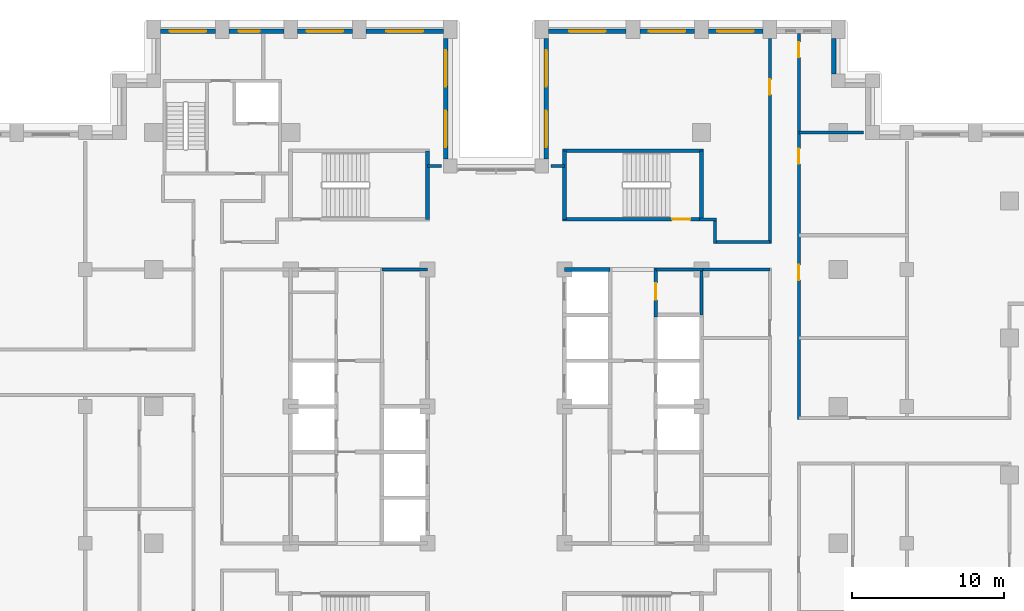
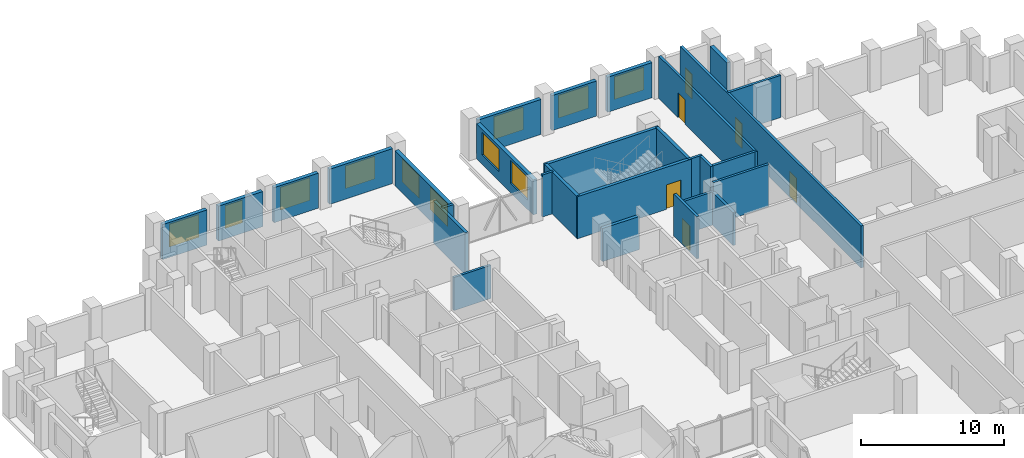
# One storey, part 11 of 16: 29 walls, 11 windows, 6 doors, 17 openings.
"""IFC4 building model written with IfcOpenShell, lengths in metres."""

from ifc_helpers import new_model, si_unit, direction, frame, frame_2d, origin, place, context, subcontext, project, spatial, rectangle, extrude, material, layer, layer_set, type_object, element, fill, save


model = new_model("IFC4")

# Units and contexts
model_context = context("Model", 3, precision=1e-05, world=origin(), true_north=direction((0.0, 1.0)))
body_context = subcontext(model_context, "Body", "Model", "MODEL_VIEW")
ifc_project = project(units=[si_unit("LENGTHUNIT", "METRE"), si_unit("AREAUNIT", "SQUARE_METRE"), si_unit("VOLUMEUNIT", "CUBIC_METRE"), si_unit("PLANEANGLEUNIT", "RADIAN"), si_unit("MASSUNIT", "GRAM", prefix="KILO")], contexts=[model_context])

# Site, building, storey
site_placement = place(None, origin())
site = spatial("IfcSite", under=ifc_project, at=site_placement, CompositionType="ELEMENT")
building_placement = place(site_placement, origin())
building = spatial("IfcBuilding", under=site, at=building_placement, Name="Corbelhall Arena Tower", CompositionType="ELEMENT")
storey_placement = place(building_placement, frame((0.0, 0.0, 116.0)))
storey = spatial("IfcBuildingStorey", under=building, at=storey_placement, Name="L21", CompositionType="ELEMENT", Elevation=116.0)

# Wall
ifc_material_1 = material(Name="Precast concrete C40/50 with granite facing", Category="masonry")
ifc_layer_1 = layer(ifc_material_1, 0.300048828125)
ifc_layer_set_1 = layer_set([ifc_layer_1], Name="EV-IW1 Infill panel 300")
wall_type_1 = type_object("IfcWallType", Name="EV-IW1 Infill panel 300", PredefinedType="SOLIDWALL", material=ifc_layer_set_1)
wall_1_placement = place(storey_placement, frame((22.199951171875, 21.85009765625, 0.0), z_axis=(0.0, 0.0, 1.0), x_axis=(0.0, 1.0, 0.0)))
element("IfcWall", 1, at=wall_1_placement, inside=storey, type_object=wall_type_1, Name="Infill panel IW1", PredefinedType="SOLIDWALL", context=body_context, shape_type="SweptSolid", body=[
    extrude(rectangle(XDim=2.349853515625, YDim=0.300048828125, at=frame_2d((1.1748046875, 0.0))), origin(), (0.0, 0.0, 1.0), 2.99951171875),
])

# Wall, opening, window
wall_2_placement = place(storey_placement, frame((17.550048828125, 24.64990234375, 0.0), z_axis=(0.0, 0.0, 1.0), x_axis=(-1.0, 0.0, 0.0)))
wall_2 = element("IfcWall", 2, at=wall_2_placement, inside=storey, type_object=wall_type_1, Name="Infill panel IW1", PredefinedType="SOLIDWALL", context=body_context, shape_type="SweptSolid", body=[
    extrude(rectangle(XDim=3.60009765625, YDim=0.300048828125, at=frame_2d((1.800048828125, 0.0))), origin(), (0.0, 0.0, 1.0), 2.99951171875),
])
opening_1_placement = place(wall_2_placement, frame((0.60009765625, 0.0, 0.800048828125)))
opening_1 = element("IfcOpeningElement", 3, at=opening_1_placement, cuts=wall_2, Name="Opening WN1", PredefinedType="OPENING", context=body_context, shape_type="SweptSolid", body=[
    extrude(rectangle(XDim=2.39990234375, YDim=1.949951171875, at=frame_2d((1.199951171875, 0.97509765625))), frame((0.0, 0.14990234375, 0.0), z_axis=(0.0, -1.0, 0.0), x_axis=(1.0, 0.0, 0.0)), (0.0, 0.0, 1.0), 0.300048828125),
])
ifc_material_2 = material(Name="Aluminium black anodised", Category="aluminium")
window_type_1 = type_object("IfcWindowType", Name="EV-WN1 Office window", PartitioningType="SINGLE_PANEL", PredefinedType="WINDOW", material=ifc_material_2)
window_1_placement = place(opening_1_placement, origin())
window_1 = element("IfcWindow", 4, at=window_1_placement, inside=storey, type_object=window_type_1, Name="Window WN1", OverallHeight=1.949951171875, OverallWidth=2.39990234375, PartitioningType="SINGLE_PANEL", PredefinedType="WINDOW", context=body_context, shape_type="SweptSolid", body=[
    extrude(rectangle(XDim=2.39990234375, YDim=1.949951171875, at=frame_2d((1.199951171875, 0.97509765625))), frame((0.0, 0.030029296875, 0.0), z_axis=(0.0, -1.0, 0.0), x_axis=(1.0, 0.0, 0.0)), (0.0, 0.0, 1.0), 0.06005859375),
])
fill(opening_1, window_1)

wall_3_placement = place(storey_placement, frame((13.050048828125, 24.64990234375, 0.0), z_axis=(0.0, 0.0, 1.0), x_axis=(-1.0, 0.0, 0.0)))
wall_3 = element("IfcWall", 5, at=wall_3_placement, inside=storey, type_object=wall_type_1, Name="Infill panel IW1", PredefinedType="SOLIDWALL", context=body_context, shape_type="SweptSolid", body=[
    extrude(rectangle(XDim=3.60009765625, YDim=0.300048828125, at=frame_2d((1.800048828125, 0.0))), origin(), (0.0, 0.0, 1.0), 2.99951171875),
])
opening_2_placement = place(wall_3_placement, frame((0.60009765625, 0.0, 0.800048828125)))
opening_2 = element("IfcOpeningElement", 6, at=opening_2_placement, cuts=wall_3, Name="Opening WN1", PredefinedType="OPENING", context=body_context, shape_type="SweptSolid", body=[
    extrude(rectangle(XDim=2.39990234375, YDim=1.949951171875, at=frame_2d((1.199951171875, 0.97509765625))), frame((0.0, 0.14990234375, 0.0), z_axis=(0.0, -1.0, 0.0), x_axis=(1.0, 0.0, 0.0)), (0.0, 0.0, 1.0), 0.300048828125),
])
window_2_placement = place(opening_2_placement, origin())
window_2 = element("IfcWindow", 7, at=window_2_placement, inside=storey, type_object=window_type_1, Name="Window WN1", OverallHeight=1.949951171875, OverallWidth=2.39990234375, PartitioningType="SINGLE_PANEL", PredefinedType="WINDOW", context=body_context, shape_type="SweptSolid", body=[
    extrude(rectangle(XDim=2.39990234375, YDim=1.949951171875, at=frame_2d((1.199951171875, 0.97509765625))), frame((0.0, 0.030029296875, 0.0), z_axis=(0.0, -1.0, 0.0), x_axis=(1.0, 0.0, 0.0)), (0.0, 0.0, 1.0), 0.06005859375),
])
fill(opening_2, window_2)

wall_4_placement = place(storey_placement, frame((8.550048828125, 24.64990234375, 0.0), z_axis=(0.0, 0.0, 1.0), x_axis=(-1.0, 0.0, 0.0)))
wall_4 = element("IfcWall", 8, at=wall_4_placement, inside=storey, type_object=wall_type_1, Name="Infill panel IW1", PredefinedType="SOLIDWALL", context=body_context, shape_type="SweptSolid", body=[
    extrude(rectangle(XDim=5.10009765625, YDim=0.300048828125, at=frame_2d((2.550048828125, 0.0))), origin(), (0.0, 0.0, 1.0), 2.99951171875),
])
opening_3_placement = place(wall_4_placement, frame((1.35009765625, 0.0, 0.800048828125)))
opening_3 = element("IfcOpeningElement", 9, at=opening_3_placement, cuts=wall_4, Name="Opening WN1", PredefinedType="OPENING", context=body_context, shape_type="SweptSolid", body=[
    extrude(rectangle(XDim=2.39990234375, YDim=1.949951171875, at=frame_2d((1.199951171875, 0.97509765625))), frame((0.0, 0.14990234375, 0.0), z_axis=(0.0, -1.0, 0.0), x_axis=(1.0, 0.0, 0.0)), (0.0, 0.0, 1.0), 0.300048828125),
])
window_3_placement = place(opening_3_placement, origin())
window_3 = element("IfcWindow", 10, at=window_3_placement, inside=storey, type_object=window_type_1, Name="Window WN1", OverallHeight=1.949951171875, OverallWidth=2.39990234375, PartitioningType="SINGLE_PANEL", PredefinedType="WINDOW", context=body_context, shape_type="SweptSolid", body=[
    extrude(rectangle(XDim=2.39990234375, YDim=1.949951171875, at=frame_2d((1.199951171875, 0.97509765625))), frame((0.0, 0.030029296875, 0.0), z_axis=(0.0, -1.0, 0.0), x_axis=(1.0, 0.0, 0.0)), (0.0, 0.0, 1.0), 0.06005859375),
])
fill(opening_3, window_3)

# Wall, openings, windows
wall_5_placement = place(storey_placement, frame((3.300048828125, 24.199951171875, 0.0), z_axis=(0.0, 0.0, 1.0), x_axis=(0.0, -1.0, 0.0)))
wall_5 = element("IfcWall", 11, at=wall_5_placement, inside=storey, type_object=wall_type_1, Name="Infill panel IW1", PredefinedType="SOLIDWALL", context=body_context, shape_type="SweptSolid", body=[
    extrude(rectangle(XDim=7.949951171875, YDim=0.300048828125, at=frame_2d((3.97509765625, 0.0))), origin(), (0.0, 0.0, 1.0), 2.99951171875),
])
opening_4_placement = place(wall_5_placement, frame((0.78759765625, 0.0, 0.800048828125)))
opening_4 = element("IfcOpeningElement", 12, at=opening_4_placement, cuts=wall_5, Name="Opening WN1", PredefinedType="OPENING", context=body_context, shape_type="SweptSolid", body=[
    extrude(rectangle(XDim=2.39990234375, YDim=1.949951171875, at=frame_2d((1.199951171875, 0.97509765625))), frame((0.0, 0.14990234375, 0.0), z_axis=(0.0, -1.0, 0.0), x_axis=(1.0, 0.0, 0.0)), (0.0, 0.0, 1.0), 0.300048828125),
])
opening_5_placement = place(wall_5_placement, frame((4.762451171875, 0.0, 0.800048828125)))
opening_5 = element("IfcOpeningElement", 13, at=opening_5_placement, cuts=wall_5, Name="Opening WN1", PredefinedType="OPENING", context=body_context, shape_type="SweptSolid", body=[
    extrude(rectangle(XDim=2.39990234375, YDim=1.949951171875, at=frame_2d((1.199951171875, 0.97509765625))), frame((0.0, 0.14990234375, 0.0), z_axis=(0.0, -1.0, 0.0), x_axis=(1.0, 0.0, 0.0)), (0.0, 0.0, 1.0), 0.300048828125),
])
window_4_placement = place(opening_4_placement, origin())
window_4 = element("IfcWindow", 14, at=window_4_placement, inside=storey, type_object=window_type_1, Name="Window WN1", OverallHeight=1.949951171875, OverallWidth=2.39990234375, PartitioningType="SINGLE_PANEL", PredefinedType="WINDOW", context=body_context, shape_type="SweptSolid", body=[
    extrude(rectangle(XDim=2.39990234375, YDim=1.949951171875, at=frame_2d((1.199951171875, 0.97509765625))), frame((0.0, 0.030029296875, 0.0), z_axis=(0.0, -1.0, 0.0), x_axis=(1.0, 0.0, 0.0)), (0.0, 0.0, 1.0), 0.06005859375),
])
fill(opening_4, window_4)
window_5_placement = place(opening_5_placement, origin())
window_5 = element("IfcWindow", 15, at=window_5_placement, inside=storey, type_object=window_type_1, Name="Window WN1", OverallHeight=1.949951171875, OverallWidth=2.39990234375, PartitioningType="SINGLE_PANEL", PredefinedType="WINDOW", context=body_context, shape_type="SweptSolid", body=[
    extrude(rectangle(XDim=2.39990234375, YDim=1.949951171875, at=frame_2d((1.199951171875, 0.97509765625))), frame((0.0, 0.030029296875, 0.0), z_axis=(0.0, -1.0, 0.0), x_axis=(1.0, 0.0, 0.0)), (0.0, 0.0, 1.0), 0.06005859375),
])
fill(opening_5, window_5)

wall_6_placement = place(storey_placement, frame((-3.300048828125, 16.25, 0.0), z_axis=(0.0, 0.0, 1.0), x_axis=(0.0, 1.0, 0.0)))
wall_6 = element("IfcWall", 16, at=wall_6_placement, inside=storey, type_object=wall_type_1, Name="Infill panel IW1", PredefinedType="SOLIDWALL", context=body_context, shape_type="SweptSolid", body=[
    extrude(rectangle(XDim=7.949951171875, YDim=0.300048828125, at=frame_2d((3.97509765625, 0.0))), origin(), (0.0, 0.0, 1.0), 2.99951171875),
])
opening_6_placement = place(wall_6_placement, frame((0.78759765625, 0.0, 0.800048828125)))
opening_6 = element("IfcOpeningElement", 17, at=opening_6_placement, cuts=wall_6, Name="Opening WN1", PredefinedType="OPENING", context=body_context, shape_type="SweptSolid", body=[
    extrude(rectangle(XDim=2.39990234375, YDim=1.949951171875, at=frame_2d((1.199951171875, 0.97509765625))), frame((0.0, 0.14990234375, 0.0), z_axis=(0.0, -1.0, 0.0), x_axis=(1.0, 0.0, 0.0)), (0.0, 0.0, 1.0), 0.300048828125),
])
opening_7_placement = place(wall_6_placement, frame((4.762451171875, 0.0, 0.800048828125)))
opening_7 = element("IfcOpeningElement", 18, at=opening_7_placement, cuts=wall_6, Name="Opening WN1", PredefinedType="OPENING", context=body_context, shape_type="SweptSolid", body=[
    extrude(rectangle(XDim=2.39990234375, YDim=1.949951171875, at=frame_2d((1.199951171875, 0.97509765625))), frame((0.0, 0.14990234375, 0.0), z_axis=(0.0, -1.0, 0.0), x_axis=(1.0, 0.0, 0.0)), (0.0, 0.0, 1.0), 0.300048828125),
])
window_6_placement = place(opening_6_placement, origin())
window_6 = element("IfcWindow", 19, at=window_6_placement, inside=storey, type_object=window_type_1, Name="Window WN1", OverallHeight=1.949951171875, OverallWidth=2.39990234375, PartitioningType="SINGLE_PANEL", PredefinedType="WINDOW", context=body_context, shape_type="SweptSolid", body=[
    extrude(rectangle(XDim=2.39990234375, YDim=1.949951171875, at=frame_2d((1.199951171875, 0.97509765625))), frame((0.0, 0.030029296875, 0.0), z_axis=(0.0, -1.0, 0.0), x_axis=(1.0, 0.0, 0.0)), (0.0, 0.0, 1.0), 0.06005859375),
])
fill(opening_6, window_6)
window_7_placement = place(opening_7_placement, origin())
window_7 = element("IfcWindow", 20, at=window_7_placement, inside=storey, type_object=window_type_1, Name="Window WN1", OverallHeight=1.949951171875, OverallWidth=2.39990234375, PartitioningType="SINGLE_PANEL", PredefinedType="WINDOW", context=body_context, shape_type="SweptSolid", body=[
    extrude(rectangle(XDim=2.39990234375, YDim=1.949951171875, at=frame_2d((1.199951171875, 0.97509765625))), frame((0.0, 0.030029296875, 0.0), z_axis=(0.0, -1.0, 0.0), x_axis=(1.0, 0.0, 0.0)), (0.0, 0.0, 1.0), 0.06005859375),
])
fill(opening_7, window_7)

# Wall, opening, window
wall_7_placement = place(storey_placement, frame((-3.449951171875, 24.64990234375, 0.0), z_axis=(0.0, 0.0, 1.0), x_axis=(-1.0, 0.0, 0.0)))
wall_7 = element("IfcWall", 21, at=wall_7_placement, inside=storey, type_object=wall_type_1, Name="Infill panel IW1", PredefinedType="SOLIDWALL", context=body_context, shape_type="SweptSolid", body=[
    extrude(rectangle(XDim=5.10009765625, YDim=0.300048828125, at=frame_2d((2.550048828125, 0.0))), origin(), (0.0, 0.0, 1.0), 2.99951171875),
])
opening_8_placement = place(wall_7_placement, frame((1.35009765625, 0.0, 0.800048828125)))
opening_8 = element("IfcOpeningElement", 22, at=opening_8_placement, cuts=wall_7, Name="Opening WN1", PredefinedType="OPENING", context=body_context, shape_type="SweptSolid", body=[
    extrude(rectangle(XDim=2.39990234375, YDim=1.949951171875, at=frame_2d((1.199951171875, 0.97509765625))), frame((0.0, 0.14990234375, 0.0), z_axis=(0.0, -1.0, 0.0), x_axis=(1.0, 0.0, 0.0)), (0.0, 0.0, 1.0), 0.300048828125),
])
window_8_placement = place(opening_8_placement, origin())
window_8 = element("IfcWindow", 23, at=window_8_placement, inside=storey, type_object=window_type_1, Name="Window WN1", OverallHeight=1.949951171875, OverallWidth=2.39990234375, PartitioningType="SINGLE_PANEL", PredefinedType="WINDOW", context=body_context, shape_type="SweptSolid", body=[
    extrude(rectangle(XDim=2.39990234375, YDim=1.949951171875, at=frame_2d((1.199951171875, 0.97509765625))), frame((0.0, 0.030029296875, 0.0), z_axis=(0.0, -1.0, 0.0), x_axis=(1.0, 0.0, 0.0)), (0.0, 0.0, 1.0), 0.06005859375),
])
fill(opening_8, window_8)

wall_8_placement = place(storey_placement, frame((-9.449951171875, 24.64990234375, 0.0), z_axis=(0.0, 0.0, 1.0), x_axis=(-1.0, 0.0, 0.0)))
wall_8 = element("IfcWall", 24, at=wall_8_placement, inside=storey, type_object=wall_type_1, Name="Infill panel IW1", PredefinedType="SOLIDWALL", context=body_context, shape_type="SweptSolid", body=[
    extrude(rectangle(XDim=3.60009765625, YDim=0.300048828125, at=frame_2d((1.800048828125, 0.0))), origin(), (0.0, 0.0, 1.0), 2.99951171875),
])
opening_9_placement = place(wall_8_placement, frame((0.60009765625, 0.0, 0.800048828125)))
opening_9 = element("IfcOpeningElement", 25, at=opening_9_placement, cuts=wall_8, Name="Opening WN1", PredefinedType="OPENING", context=body_context, shape_type="SweptSolid", body=[
    extrude(rectangle(XDim=2.39990234375, YDim=1.949951171875, at=frame_2d((1.199951171875, 0.97509765625))), frame((0.0, 0.14990234375, 0.0), z_axis=(0.0, -1.0, 0.0), x_axis=(1.0, 0.0, 0.0)), (0.0, 0.0, 1.0), 0.300048828125),
])
window_9_placement = place(opening_9_placement, origin())
window_9 = element("IfcWindow", 26, at=window_9_placement, inside=storey, type_object=window_type_1, Name="Window WN1", OverallHeight=1.949951171875, OverallWidth=2.39990234375, PartitioningType="SINGLE_PANEL", PredefinedType="WINDOW", context=body_context, shape_type="SweptSolid", body=[
    extrude(rectangle(XDim=2.39990234375, YDim=1.949951171875, at=frame_2d((1.199951171875, 0.97509765625))), frame((0.0, 0.030029296875, 0.0), z_axis=(0.0, -1.0, 0.0), x_axis=(1.0, 0.0, 0.0)), (0.0, 0.0, 1.0), 0.06005859375),
])
fill(opening_9, window_9)

wall_9_placement = place(storey_placement, frame((-13.949951171875, 24.64990234375, 0.0), z_axis=(0.0, 0.0, 1.0), x_axis=(-1.0, 0.0, 0.0)))
wall_9 = element("IfcWall", 27, at=wall_9_placement, inside=storey, type_object=wall_type_1, Name="Infill panel IW1", PredefinedType="SOLIDWALL", context=body_context, shape_type="SweptSolid", body=[
    extrude(rectangle(XDim=3.60009765625, YDim=0.300048828125, at=frame_2d((1.800048828125, 0.0))), origin(), (0.0, 0.0, 1.0), 2.99951171875),
])
opening_10_placement = place(wall_9_placement, frame((1.574951171875, 0.0, 0.800048828125)))
opening_10 = element("IfcOpeningElement", 28, at=opening_10_placement, cuts=wall_9, Name="Opening WN7", PredefinedType="OPENING", context=body_context, shape_type="SweptSolid", body=[
    extrude(rectangle(XDim=1.39990234375, YDim=1.949951171875, at=frame_2d((0.699951171875, 0.97509765625))), frame((0.0, 0.14990234375, 0.0), z_axis=(0.0, -1.0, 0.0), x_axis=(1.0, 0.0, 0.0)), (0.0, 0.0, 1.0), 0.300048828125),
])
window_type_2 = type_object("IfcWindowType", Name="EV-WN7 Office window 1400", PartitioningType="SINGLE_PANEL", PredefinedType="WINDOW", material=ifc_material_2)
window_10_placement = place(opening_10_placement, origin())
window_10 = element("IfcWindow", 29, at=window_10_placement, inside=storey, type_object=window_type_2, Name="Window WN7", OverallHeight=1.949951171875, OverallWidth=1.39990234375, PartitioningType="SINGLE_PANEL", PredefinedType="WINDOW", context=body_context, shape_type="SweptSolid", body=[
    extrude(rectangle(XDim=1.39990234375, YDim=1.949951171875, at=frame_2d((0.699951171875, 0.97509765625))), frame((0.0, 0.030029296875, 0.0), z_axis=(0.0, -1.0, 0.0), x_axis=(1.0, 0.0, 0.0)), (0.0, 0.0, 1.0), 0.06005859375),
])
fill(opening_10, window_10)

wall_10_placement = place(storey_placement, frame((-18.449951171875, 24.64990234375, 0.0), z_axis=(0.0, 0.0, 1.0), x_axis=(-1.0, 0.0, 0.0)))
wall_10 = element("IfcWall", 30, at=wall_10_placement, inside=storey, type_object=wall_type_1, Name="Infill panel IW1", PredefinedType="SOLIDWALL", context=body_context, shape_type="SweptSolid", body=[
    extrude(rectangle(XDim=3.60009765625, YDim=0.300048828125, at=frame_2d((1.800048828125, 0.0))), origin(), (0.0, 0.0, 1.0), 2.99951171875),
])
opening_11_placement = place(wall_10_placement, frame((0.60009765625, 0.0, 0.800048828125)))
opening_11 = element("IfcOpeningElement", 31, at=opening_11_placement, cuts=wall_10, Name="Opening WN1", PredefinedType="OPENING", context=body_context, shape_type="SweptSolid", body=[
    extrude(rectangle(XDim=2.39990234375, YDim=1.949951171875, at=frame_2d((1.199951171875, 0.97509765625))), frame((0.0, 0.14990234375, 0.0), z_axis=(0.0, -1.0, 0.0), x_axis=(1.0, 0.0, 0.0)), (0.0, 0.0, 1.0), 0.300048828125),
])
window_11_placement = place(opening_11_placement, origin())
window_11 = element("IfcWindow", 32, at=window_11_placement, inside=storey, type_object=window_type_1, Name="Window WN1", OverallHeight=1.949951171875, OverallWidth=2.39990234375, PartitioningType="SINGLE_PANEL", PredefinedType="WINDOW", context=body_context, shape_type="SweptSolid", body=[
    extrude(rectangle(XDim=2.39990234375, YDim=1.949951171875, at=frame_2d((1.199951171875, 0.97509765625))), frame((0.0, 0.030029296875, 0.0), z_axis=(0.0, -1.0, 0.0), x_axis=(1.0, 0.0, 0.0)), (0.0, 0.0, 1.0), 0.06005859375),
])
fill(opening_11, window_11)

# Walls
ifc_material_3 = material(Name="Gypsum board on steel stud, acoustic", Category="steel")
ifc_layer_2 = layer(ifc_material_3, 0.199951171875)
ifc_layer_set_2 = layer_set([ifc_layer_2], Name="IN-W-DM200")
wall_type_2 = type_object("IfcWallType", Name="IN-W-DM200", PredefinedType="PARTITIONING", material=ifc_layer_set_2)
for number, where, z_axis, x_axis, name in (
    (33, (-4.5, 15.800048828125, 0.0), (0.0, 0.0, 1.0), (1.0, 0.0, 0.0), "Partition 032"),
    (34, (3.60009765625, 15.800048828125, 0.0), (0.0, 0.0, 1.0), (1.0, 0.0, 0.0), "Partition 034"),
):
    element("IfcWall", number, at=place(storey_placement, frame(where, z_axis=z_axis, x_axis=x_axis)), inside=storey, type_object=wall_type_2, Name=name, PredefinedType="PARTITIONING", context=body_context, shape_type="SweptSolid", body=[
        extrude(rectangle(XDim=0.89990234375, YDim=0.199951171875, at=frame_2d((0.449951171875, 0.0))), origin(), (0.0, 0.0, 1.0), 3.599609375),
    ])
wall_11_placement = place(storey_placement, frame((13.375, 12.300048828125, 0.0), z_axis=(0.0, 0.0, 1.0), x_axis=(1.0, 0.0, 0.0)))
element("IfcWall", 35, at=wall_11_placement, inside=storey, type_object=wall_type_2, Name="Partition 036", PredefinedType="PARTITIONING", context=body_context, shape_type="SweptSolid", body=[
    extrude(rectangle(XDim=1.125, YDim=0.199951171875, at=frame_2d((0.5625, 0.0))), origin(), (0.0, 0.0, 1.0), 3.599609375),
])
wall_12_placement = place(storey_placement, frame((18.0, 9.0, 0.0), z_axis=(0.0, 0.0, 1.0), x_axis=(-1.0, 0.0, 0.0)))
element("IfcWall", 36, at=wall_12_placement, inside=storey, type_object=wall_type_2, Name="Partition 042", PredefinedType="PARTITIONING", context=body_context, shape_type="SweptSolid", body=[
    extrude(rectangle(XDim=4.5, YDim=0.199951171875, at=frame_2d((2.25, 0.0))), origin(), (0.0, 0.0, 1.0), 3.599609375),
])
wall_13_placement = place(storey_placement, frame((14.39990234375, 10.800048828125, 0.0), z_axis=(0.0, 0.0, 1.0), x_axis=(1.0, 0.0, 0.0)))
element("IfcWall", 37, at=wall_13_placement, inside=storey, type_object=wall_type_2, Name="Partition 043", PredefinedType="PARTITIONING", context=body_context, shape_type="SweptSolid", body=[
    extrude(rectangle(XDim=3.60009765625, YDim=0.199951171875, at=frame_2d((1.800048828125, 0.0))), origin(), (0.0, 0.0, 1.0), 3.599609375),
])
wall_14_placement = place(storey_placement, frame((14.39990234375, 12.300048828125, 0.0), z_axis=(0.0, 0.0, 1.0), x_axis=(0.0, -1.0, 0.0)))
element("IfcWall", 38, at=wall_14_placement, inside=storey, type_object=wall_type_2, Name="Partition 044", PredefinedType="PARTITIONING", context=body_context, shape_type="SweptSolid", body=[
    extrude(rectangle(XDim=1.60009765625, YDim=0.199951171875, at=frame_2d((0.800048828125, 0.0))), origin(), (0.0, 0.0, 1.0), 3.599609375),
])

# Wall, opening, door
wall_15_placement = place(storey_placement, frame((18.0, 10.699951171875, 0.0), z_axis=(0.0, 0.0, 1.0), x_axis=(0.0, 1.0, 0.0)))
wall_15 = element("IfcWall", 39, at=wall_15_placement, inside=storey, type_object=wall_type_2, Name="Partition 048", PredefinedType="PARTITIONING", context=body_context, shape_type="SweptSolid", body=[
    extrude(rectangle(XDim=13.5, YDim=0.199951171875, at=frame_2d((6.75, 0.0))), origin(), (0.0, 0.0, 1.0), 3.599609375),
])
opening_12_placement = place(wall_15_placement, frame((9.800048828125, 0.0, 0.0)))
opening_12 = element("IfcOpeningElement", 40, at=opening_12_placement, cuts=wall_15, Name="Opening 05028", PredefinedType="OPENING", context=body_context, shape_type="SweptSolid", body=[
    extrude(rectangle(XDim=1.0, YDim=2.10009765625, at=frame_2d((0.5, 1.050048828125))), frame((0.0, 0.10009765625, 0.0), z_axis=(0.0, -1.0, 0.0), x_axis=(1.0, 0.0, 0.0)), (0.0, 0.0, 1.0), 0.199951171875),
])
ifc_material_4 = material(Name="Steel door set", Category="steel")
door_type_1 = type_object("IfcDoorType", Name="IN-D-SW100", OperationType="NOTDEFINED", PredefinedType="DOOR", material=ifc_material_4)
door_1_placement = place(opening_12_placement, origin())
door_1 = element("IfcDoor", 41, at=door_1_placement, inside=storey, type_object=door_type_1, Name="Door 028", OperationType="SINGLE_SWING_LEFT", OverallHeight=2.10009765625, OverallWidth=1.0, PredefinedType="DOOR", context=body_context, shape_type="SweptSolid", body=[
    extrude(rectangle(XDim=1.0, YDim=2.10009765625, at=frame_2d((0.5, 1.050048828125))), frame((0.0, 0.02490234375, 0.0), z_axis=(0.0, -1.0, 0.0), x_axis=(1.0, 0.0, 0.0)), (0.0, 0.0, 1.0), 0.050048828125),
])
fill(opening_12, door_1)

# Wall, openings, doors
wall_16_placement = place(storey_placement, frame((19.89990234375, 24.5, 0.0), z_axis=(0.0, 0.0, 1.0), x_axis=(0.0, -1.0, 0.0)))
wall_16 = element("IfcWall", 42, at=wall_16_placement, inside=storey, type_object=wall_type_2, Name="Partition 053", PredefinedType="PARTITIONING", context=body_context, shape_type="SweptSolid", body=[
    extrude(rectangle(XDim=25.35009765625, YDim=0.199951171875, at=frame_2d((12.675048828125, 0.0))), origin(), (0.0, 0.0, 1.0), 3.599609375),
])
opening_13_placement = place(wall_16_placement, frame((15.199951171875, 0.0, 0.0)))
opening_13 = element("IfcOpeningElement", 43, at=opening_13_placement, cuts=wall_16, Name="Opening 05039", PredefinedType="OPENING", context=body_context, shape_type="SweptSolid", body=[
    extrude(rectangle(XDim=1.0, YDim=2.10009765625, at=frame_2d((0.5, 1.050048828125))), frame((0.0, 0.10009765625, 0.0), z_axis=(0.0, -1.0, 0.0), x_axis=(1.0, 0.0, 0.0)), (0.0, 0.0, 1.0), 0.199951171875),
])
opening_14_placement = place(wall_16_placement, frame((7.550048828125, 0.0, 0.0)))
opening_14 = element("IfcOpeningElement", 44, at=opening_14_placement, cuts=wall_16, Name="Opening 05040", PredefinedType="OPENING", context=body_context, shape_type="SweptSolid", body=[
    extrude(rectangle(XDim=1.0, YDim=2.10009765625, at=frame_2d((0.5, 1.050048828125))), frame((0.0, 0.10009765625, 0.0), z_axis=(0.0, -1.0, 0.0), x_axis=(1.0, 0.0, 0.0)), (0.0, 0.0, 1.0), 0.199951171875),
])
opening_15_placement = place(wall_16_placement, frame((0.550048828125, 0.0, 0.0)))
opening_15 = element("IfcOpeningElement", 45, at=opening_15_placement, cuts=wall_16, Name="Opening 05041", PredefinedType="OPENING", context=body_context, shape_type="SweptSolid", body=[
    extrude(rectangle(XDim=1.0, YDim=2.10009765625, at=frame_2d((0.5, 1.050048828125))), frame((0.0, 0.10009765625, 0.0), z_axis=(0.0, -1.0, 0.0), x_axis=(1.0, 0.0, 0.0)), (0.0, 0.0, 1.0), 0.199951171875),
])
door_2_placement = place(opening_13_placement, origin())
door_2 = element("IfcDoor", 46, at=door_2_placement, inside=storey, type_object=door_type_1, Name="Door 039", OperationType="SINGLE_SWING_RIGHT", OverallHeight=2.10009765625, OverallWidth=1.0, PredefinedType="DOOR", context=body_context, shape_type="SweptSolid", body=[
    extrude(rectangle(XDim=1.0, YDim=2.10009765625, at=frame_2d((0.5, 1.050048828125))), frame((0.0, 0.02490234375, 0.0), z_axis=(0.0, -1.0, 0.0), x_axis=(1.0, 0.0, 0.0)), (0.0, 0.0, 1.0), 0.050048828125),
])
fill(opening_13, door_2)
door_3_placement = place(opening_14_placement, origin())
door_3 = element("IfcDoor", 47, at=door_3_placement, inside=storey, type_object=door_type_1, Name="Door 040", OperationType="SINGLE_SWING_LEFT", OverallHeight=2.10009765625, OverallWidth=1.0, PredefinedType="DOOR", context=body_context, shape_type="SweptSolid", body=[
    extrude(rectangle(XDim=1.0, YDim=2.10009765625, at=frame_2d((0.5, 1.050048828125))), frame((0.0, 0.02490234375, 0.0), z_axis=(0.0, -1.0, 0.0), x_axis=(1.0, 0.0, 0.0)), (0.0, 0.0, 1.0), 0.050048828125),
])
fill(opening_14, door_3)
door_4_placement = place(opening_15_placement, origin())
door_4 = element("IfcDoor", 48, at=door_4_placement, inside=storey, type_object=door_type_1, Name="Door 041", OperationType="SINGLE_SWING_RIGHT", OverallHeight=2.10009765625, OverallWidth=1.0, PredefinedType="DOOR", context=body_context, shape_type="SweptSolid", body=[
    extrude(rectangle(XDim=1.0, YDim=2.10009765625, at=frame_2d((0.5, 1.050048828125))), frame((0.0, 0.02490234375, 0.0), z_axis=(0.0, -1.0, 0.0), x_axis=(1.0, 0.0, 0.0)), (0.0, 0.0, 1.0), 0.050048828125),
])
fill(opening_15, door_4)

# Wall
wall_17_placement = place(storey_placement, frame((19.89990234375, 18.0, 0.0), z_axis=(0.0, 0.0, 1.0), x_axis=(1.0, 0.0, 0.0)))
element("IfcWall", 49, at=wall_17_placement, inside=storey, type_object=wall_type_2, Name="Partition 055", PredefinedType="PARTITIONING", context=body_context, shape_type="SweptSolid", body=[
    extrude(rectangle(XDim=4.25, YDim=0.199951171875, at=frame_2d((2.125, 0.0))), origin(), (0.0, 0.0, 1.0), 3.599609375),
])

# Wall, opening, door
ifc_material_5 = material(Name="Concrete block wall", Category="concrete")
ifc_layer_3 = layer(ifc_material_5, 0.199951171875)
ifc_layer_set_3 = layer_set([ifc_layer_3], Name="IN-W-RS200")
wall_type_3 = type_object("IfcWallType", Name="IN-W-RS200", PredefinedType="SOLIDWALL", material=ifc_layer_set_3)
wall_18_placement = place(storey_placement, frame((10.5, 9.10009765625, 0.0), z_axis=(0.0, 0.0, 1.0), x_axis=(0.0, -1.0, 0.0)))
wall_18 = element("IfcWall", 50, at=wall_18_placement, inside=storey, type_object=wall_type_3, Name="Partition 077", PredefinedType="SOLIDWALL", context=body_context, shape_type="SweptSolid", body=[
    extrude(rectangle(XDim=3.22509765625, YDim=0.199951171875, at=frame_2d((1.612548828125, 0.0))), origin(), (0.0, 0.0, 1.0), 3.599609375),
])
opening_16_placement = place(wall_18_placement, frame((1.0, 0.0, 0.0)))
opening_16 = element("IfcOpeningElement", 51, at=opening_16_placement, cuts=wall_18, Name="Opening 05013", PredefinedType="OPENING", context=body_context, shape_type="SweptSolid", body=[
    extrude(rectangle(XDim=1.10009765625, YDim=2.10009765625, at=frame_2d((0.550048828125, 1.050048828125))), frame((0.0, 0.10009765625, 0.0), z_axis=(0.0, -1.0, 0.0), x_axis=(1.0, 0.0, 0.0)), (0.0, 0.0, 1.0), 0.199951171875),
])
door_type_2 = type_object("IfcDoorType", Name="IN-D-FD110", OperationType="NOTDEFINED", PredefinedType="DOOR", material=ifc_material_4)
door_5_placement = place(opening_16_placement, origin())
door_5 = element("IfcDoor", 52, at=door_5_placement, inside=storey, type_object=door_type_2, Name="Door 013", OperationType="SINGLE_SWING_RIGHT", OverallHeight=2.10009765625, OverallWidth=1.10009765625, PredefinedType="DOOR", context=body_context, shape_type="SweptSolid", body=[
    extrude(rectangle(XDim=1.10009765625, YDim=2.10009765625, at=frame_2d((0.550048828125, 1.050048828125))), frame((0.0, 0.02490234375, 0.0), z_axis=(0.0, -1.0, 0.0), x_axis=(1.0, 0.0, 0.0)), (0.0, 0.0, 1.0), 0.050048828125),
])
fill(opening_16, door_5)

# Walls
ifc_layer_4 = layer(ifc_material_5, 0.199951171875)
ifc_layer_set_4 = layer_set([ifc_layer_4], Name="IN-W-RS200 under beam 762 mm")
wall_type_4 = type_object("IfcWallType", Name="IN-W-RS200 under beam 762 mm", PredefinedType="SOLIDWALL", material=ifc_layer_set_4)
wall_19_placement = place(storey_placement, frame((-7.5, 9.0, 0.0), z_axis=(0.0, 0.0, 1.0), x_axis=(1.0, 0.0, 0.0)))
element("IfcWall", 53, at=wall_19_placement, inside=storey, type_object=wall_type_4, Name="Partition 070", PredefinedType="SOLIDWALL", context=body_context, shape_type="SweptSolid", body=[
    extrude(rectangle(XDim=3.0, YDim=0.199951171875, at=frame_2d((1.5, 0.0))), origin(), (0.0, 0.0, 1.0), 2.837646484375),
])
for number, where, z_axis, x_axis, name in (
    (54, (10.5, 9.0, 0.0), (0.0, 0.0, 1.0), (1.0, 0.0, 0.0), "Partition 076"),
    (55, (13.5, 9.10009765625, 0.0), (0.0, 0.0, 1.0), (0.0, -1.0, 0.0), "Partition 079"),
):
    element("IfcWall", number, at=place(storey_placement, frame(where, z_axis=z_axis, x_axis=x_axis)), inside=storey, type_object=wall_type_4, Name=name, PredefinedType="SOLIDWALL", context=body_context, shape_type="SweptSolid", body=[
        extrude(rectangle(XDim=3.10009765625, YDim=0.199951171875, at=frame_2d((1.550048828125, 0.0))), origin(), (0.0, 0.0, 1.0), 2.837646484375),
    ])
ifc_material_6 = material(Name="Concrete C40/50", Category="concrete")
ifc_layer_5 = layer(ifc_material_6, 0.25)
ifc_layer_set_5 = layer_set([ifc_layer_5], Name="IN-W-SH250 under beam 762 mm")
wall_type_5 = type_object("IfcWallType", Name="IN-W-SH250 under beam 762 mm", PredefinedType="SOLIDWALL", material=ifc_layer_set_5)
wall_20_placement = place(storey_placement, frame((4.5, 9.0, 0.0), z_axis=(0.0, 0.0, 1.0), x_axis=(1.0, 0.0, 0.0)))
element("IfcWall", 56, at=wall_20_placement, inside=storey, type_object=wall_type_5, Name="Shaft wall 094", PredefinedType="SOLIDWALL", context=body_context, shape_type="SweptSolid", body=[
    extrude(rectangle(XDim=3.0, YDim=0.25, at=frame_2d((1.5, 0.0))), origin(), (0.0, 0.0, 1.0), 2.837646484375),
])
ifc_layer_6 = layer(ifc_material_6, 0.25)
ifc_layer_set_6 = layer_set([ifc_layer_6], Name="IN-W-ST250")
wall_type_6 = type_object("IfcWallType", Name="IN-W-ST250", PredefinedType="SOLIDWALL", material=ifc_layer_set_6)
wall_21_placement = place(storey_placement, frame((-4.5, 16.800048828125, 0.0), z_axis=(0.0, 0.0, 1.0), x_axis=(0.0, -1.0, 0.0)))
element("IfcWall", 57, at=wall_21_placement, inside=storey, type_object=wall_type_6, Name="Shaft wall 113", PredefinedType="SOLIDWALL", context=body_context, shape_type="SweptSolid", body=[
    extrude(rectangle(XDim=4.5, YDim=0.25, at=frame_2d((2.25, 0.0))), origin(), (0.0, 0.0, 1.0), 3.599609375),
])

# Wall, opening, door
wall_22_placement = place(storey_placement, frame((4.375, 12.300048828125, 0.0), z_axis=(0.0, 0.0, 1.0), x_axis=(1.0, 0.0, 0.0)))
wall_22 = element("IfcWall", 58, at=wall_22_placement, inside=storey, type_object=wall_type_6, Name="Shaft wall 115", PredefinedType="SOLIDWALL", context=body_context, shape_type="SweptSolid", body=[
    extrude(rectangle(XDim=9.25, YDim=0.25, at=frame_2d((4.625, 0.0))), origin(), (0.0, 0.0, 1.0), 3.599609375),
])
opening_17_placement = place(wall_22_placement, frame((7.199951171875, 0.0, 0.0)))
opening_17 = element("IfcOpeningElement", 59, at=opening_17_placement, cuts=wall_22, Name="Opening 05016", PredefinedType="OPENING", context=body_context, shape_type="SweptSolid", body=[
    extrude(rectangle(XDim=1.199951171875, YDim=2.10009765625, at=frame_2d((0.60009765625, 1.050048828125))), frame((0.0, 0.125, 0.0), z_axis=(0.0, -1.0, 0.0), x_axis=(1.0, 0.0, 0.0)), (0.0, 0.0, 1.0), 0.25),
])
door_type_3 = type_object("IfcDoorType", Name="IN-D-ST120", OperationType="NOTDEFINED", PredefinedType="DOOR", material=ifc_material_4)
door_6_placement = place(opening_17_placement, origin())
door_6 = element("IfcDoor", 60, at=door_6_placement, inside=storey, type_object=door_type_3, Name="Door 016", OperationType="SINGLE_SWING_LEFT", OverallHeight=2.10009765625, OverallWidth=1.199951171875, PredefinedType="DOOR", context=body_context, shape_type="SweptSolid", body=[
    extrude(rectangle(XDim=1.199951171875, YDim=2.10009765625, at=frame_2d((0.60009765625, 1.050048828125))), frame((0.0, 0.02490234375, 0.0), z_axis=(0.0, -1.0, 0.0), x_axis=(1.0, 0.0, 0.0)), (0.0, 0.0, 1.0), 0.050048828125),
])
fill(opening_17, door_6)

# Walls
wall_23_placement = place(storey_placement, frame((4.375, 16.800048828125, 0.0), z_axis=(0.0, 0.0, 1.0), x_axis=(1.0, 0.0, 0.0)))
element("IfcWall", 61, at=wall_23_placement, inside=storey, type_object=wall_type_6, Name="Shaft wall 116", PredefinedType="SOLIDWALL", context=body_context, shape_type="SweptSolid", body=[
    extrude(rectangle(XDim=9.25, YDim=0.25, at=frame_2d((4.625, 0.0))), origin(), (0.0, 0.0, 1.0), 3.599609375),
])
for number, where, z_axis, x_axis, name in (
    (62, (4.5, 12.300048828125, 0.0), (0.0, 0.0, 1.0), (0.0, 1.0, 0.0), "Shaft wall 118"),
    (63, (13.5, 16.800048828125, 0.0), (0.0, 0.0, 1.0), (0.0, -1.0, 0.0), "Shaft wall 121"),
):
    element("IfcWall", number, at=place(storey_placement, frame(where, z_axis=z_axis, x_axis=x_axis)), inside=storey, type_object=wall_type_6, Name=name, PredefinedType="SOLIDWALL", context=body_context, shape_type="SweptSolid", body=[
        extrude(rectangle(XDim=4.5, YDim=0.25, at=frame_2d((2.25, 0.0))), origin(), (0.0, 0.0, 1.0), 3.599609375),
    ])

save(model, "model.ifc")
